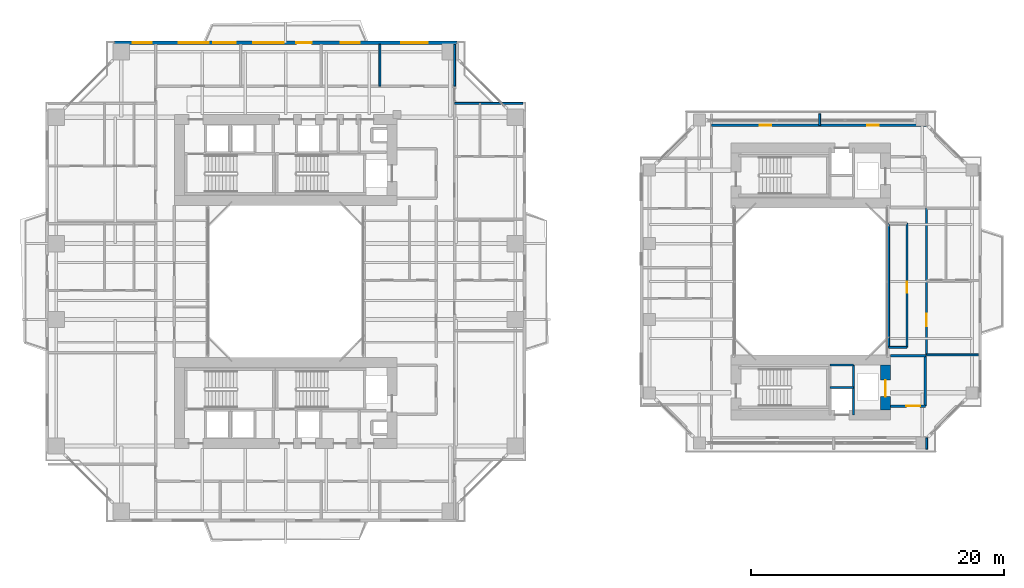
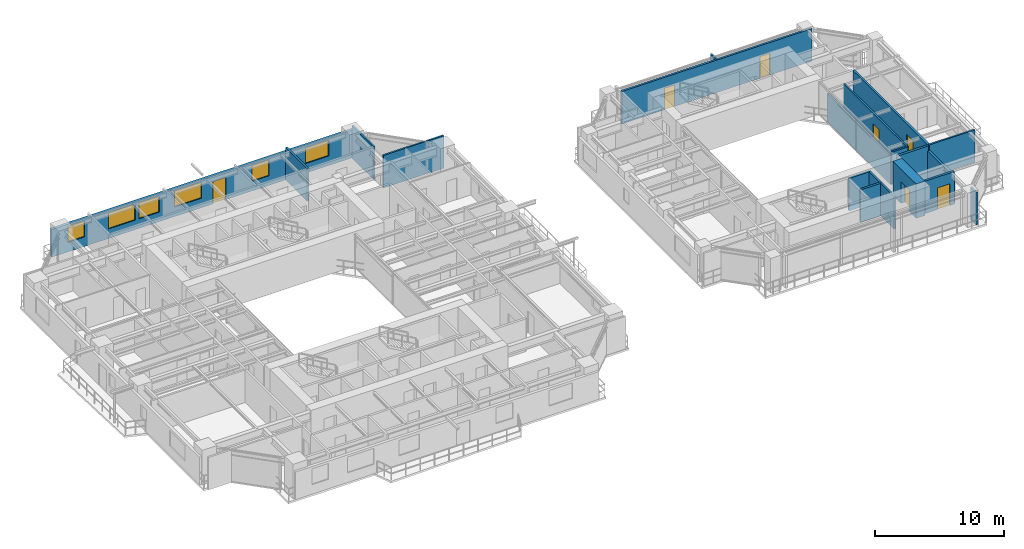
# One storey, part 17 of 23: 19 walls, 7 doors, 6 windows, 13 openings.
"""IFC4 building model written with IfcOpenShell, lengths in metres."""

from ifc_helpers import new_model, si_unit, direction, frame, frame_2d, origin, place, context, subcontext, project, spatial, rectangle, extrude, source, transform, mapped, material, layer, layer_set, type_object, element, fill, save


model = new_model("IFC4")

# Units and contexts
model_context = context("Model", 3, precision=1e-05, world=origin(), true_north=direction((0.0, 1.0)))
body_context = subcontext(model_context, "Body", "Model", "MODEL_VIEW")
ifc_project = project(units=[si_unit("LENGTHUNIT", "METRE"), si_unit("AREAUNIT", "SQUARE_METRE"), si_unit("VOLUMEUNIT", "CUBIC_METRE"), si_unit("PLANEANGLEUNIT", "RADIAN"), si_unit("MASSUNIT", "GRAM", prefix="KILO"), si_unit("THERMODYNAMICTEMPERATUREUNIT", "KELVIN"), si_unit("POWERUNIT", "WATT")], contexts=[model_context])

# Site, building, storey
site_placement = place(None, origin())
site = spatial("IfcSite", under=ifc_project, at=site_placement, CompositionType="ELEMENT")
building_placement = place(site_placement, origin())
building = spatial("IfcBuilding", under=site, at=building_placement, Name="Qiaomeng Ring Towers", CompositionType="ELEMENT")
storey_placement = place(building_placement, frame((0.0, 0.0, 39.25)))
storey = spatial("IfcBuildingStorey", under=building, at=storey_placement, Name="L10", CompositionType="ELEMENT", Elevation=39.25)

# Wall, openings, windows, door
ifc_material_1 = material(Name="Precast concrete C40", Category="concrete")
ifc_layer_1 = layer(ifc_material_1, 0.25, Name="Precast concrete C40")
ifc_layer_set_1 = layer_set([ifc_layer_1], Name="Precast concrete C40")
wall_type_1 = type_object("IfcWallType", Name="ARC-WL-EW1", PredefinedType="STANDARD", material=ifc_layer_set_1)
wall_1_placement = place(storey_placement, frame((5.449951171875, 41.875, 0.0), z_axis=(0.0, 0.0, 1.0), x_axis=(1.0, 0.0, 0.0)))
wall_1 = element("IfcWall", 1, at=wall_1_placement, inside=storey, type_object=wall_type_1, Name="L10 Tower 1 N Exterior Wall", PredefinedType="STANDARD", context=body_context, shape_type="SweptSolid", body=[
    extrude(rectangle(XDim=27.10009765625, YDim=0.25, at=frame_2d((13.550048828125, 0.0))), origin(), (0.0, 0.0, 1.0), 2.610107421875),
])
opening_1_placement = place(wall_1_placement, frame((14.39990234375, 0.0, 0.0)))
opening_1 = element("IfcOpeningElement", 2, at=opening_1_placement, cuts=wall_1, Name="Opening BD1", PredefinedType="OPENING", context=body_context, shape_type="SweptSolid", body=[
    extrude(rectangle(XDim=1.199951171875, YDim=2.10009765625, at=frame_2d((0.60009765625, 1.050048828125))), frame((0.0, 0.135009765625, 0.0), z_axis=(0.0, -1.0, 0.0), x_axis=(1.0, 0.0, 0.0)), (0.0, 0.0, 1.0), 0.27001953125),
])
opening_2_placement = place(wall_1_placement, frame((1.449951171875, 0.0, 0.89990234375)))
opening_2 = element("IfcOpeningElement", 3, at=opening_2_placement, cuts=wall_1, Name="Opening WN2", PredefinedType="OPENING", context=body_context, shape_type="SweptSolid", body=[
    extrude(rectangle(XDim=1.5, YDim=1.5, at=frame_2d((0.75, 0.75))), frame((0.0, 0.135009765625, 0.0), z_axis=(0.0, -1.0, 0.0), x_axis=(1.0, 0.0, 0.0)), (0.0, 0.0, 1.0), 0.27001953125),
])
opening_3_placement = place(wall_1_placement, frame((7.819580078125, 0.0, 0.89990234375)))
opening_3 = element("IfcOpeningElement", 4, at=opening_3_placement, cuts=wall_1, Name="Opening WN1", PredefinedType="OPENING", context=body_context, shape_type="SweptSolid", body=[
    extrude(rectangle(XDim=1.800048828125, YDim=1.5, at=frame_2d((0.89990234375, 0.75))), frame((0.0, 0.135009765625, 0.0), z_axis=(0.0, -1.0, 0.0), x_axis=(1.0, 0.0, 0.0)), (0.0, 0.0, 1.0), 0.27001953125),
])
opening_4_placement = place(wall_1_placement, frame((17.919921875, 0.0, 0.89990234375)))
opening_4 = element("IfcOpeningElement", 5, at=opening_4_placement, cuts=wall_1, Name="Opening WN2", PredefinedType="OPENING", context=body_context, shape_type="SweptSolid", body=[
    extrude(rectangle(XDim=1.5, YDim=1.5, at=frame_2d((0.75, 0.75))), frame((0.0, 0.135009765625, 0.0), z_axis=(0.0, -1.0, 0.0), x_axis=(1.0, 0.0, 0.0)), (0.0, 0.0, 1.0), 0.27001953125),
])
opening_5_placement = place(wall_1_placement, frame((22.6630859375, 0.0, 0.89990234375)))
opening_5 = element("IfcOpeningElement", 6, at=opening_5_placement, cuts=wall_1, Name="Opening WN4", PredefinedType="OPENING", context=body_context, shape_type="SweptSolid", body=[
    extrude(rectangle(XDim=2.10009765625, YDim=1.47998046875, at=frame_2d((1.050048828125, 0.739990234375))), frame((0.0, 0.135009765625, 0.0), z_axis=(0.0, -1.0, 0.0), x_axis=(1.0, 0.0, 0.0)), (0.0, 0.0, 1.0), 0.27001953125),
])
opening_6_placement = place(wall_1_placement, frame((5.083984375, 0.0, 0.89990234375)))
opening_6 = element("IfcOpeningElement", 7, at=opening_6_placement, cuts=wall_1, Name="Opening WN6", PredefinedType="OPENING", context=body_context, shape_type="SweptSolid", body=[
    extrude(rectangle(XDim=2.39990234375, YDim=1.5, at=frame_2d((1.199951171875, 0.75))), frame((0.0, 0.135009765625, 0.0), z_axis=(0.0, -1.0, 0.0), x_axis=(1.0, 0.0, 0.0)), (0.0, 0.0, 1.0), 0.27001953125),
])
opening_7_placement = place(wall_1_placement, frame((11.00244140625, 0.0, 0.89990234375)))
opening_7 = element("IfcOpeningElement", 8, at=opening_7_placement, cuts=wall_1, Name="Opening WN6", PredefinedType="OPENING", context=body_context, shape_type="SweptSolid", body=[
    extrude(rectangle(XDim=2.39990234375, YDim=1.5, at=frame_2d((1.199951171875, 0.75))), frame((0.0, 0.135009765625, 0.0), z_axis=(0.0, -1.0, 0.0), x_axis=(1.0, 0.0, 0.0)), (0.0, 0.0, 1.0), 0.27001953125),
])
ifc_material_2 = material(Name="Low-E dark-grey laminated double glazing", Category="glass")
window_type_1 = type_object("IfcWindowType", Name="ARC-WN-4", PartitioningType="TRIPLE_PANEL_VERTICAL", PredefinedType="WINDOW", material=ifc_material_2)
shared_shape_1 = source(origin(), body_context, "Body", "SweptSolid", [
    extrude(rectangle(XDim=2.10009765625, YDim=1.47998046875, at=frame_2d((1.050048828125, 0.739990234375))), frame((0.0, 0.030029296875, 0.0), z_axis=(0.0, -1.0, 0.0), x_axis=(1.0, 0.0, 0.0)), (0.0, 0.0, 1.0), 0.06005859375),
])
window_1_placement = place(opening_5_placement, origin())
window_1 = element("IfcWindow", 9, at=window_1_placement, inside=storey, type_object=window_type_1, Name="L10 Exterior Window WN4", OverallHeight=1.47998046875, OverallWidth=2.10009765625, PartitioningType="TRIPLE_PANEL_VERTICAL", PredefinedType="WINDOW", context=body_context, shape_type="MappedRepresentation", body=[
    mapped(shared_shape_1, transform((0.0, 0.0, 0.0), x_axis=(1.0, 0.0, 0.0), y_axis=(0.0, 1.0, 0.0), z_axis=(0.0, 0.0, 1.0), scale=1.0)),
])
fill(opening_5, window_1)
door_type_1 = type_object("IfcDoorType", Name="ARC-DR-BD1", OperationType="NOTDEFINED", PredefinedType="DOOR", material=ifc_material_2)
shared_shape_2 = source(origin(), body_context, "Body", "SweptSolid", [
    extrude(rectangle(XDim=1.199951171875, YDim=2.10009765625, at=frame_2d((0.60009765625, 1.050048828125))), frame((0.0, 0.02490234375, 0.0), z_axis=(0.0, -1.0, 0.0), x_axis=(1.0, 0.0, 0.0)), (0.0, 0.0, 1.0), 0.050048828125),
])
door_1_placement = place(opening_1_placement, origin())
door_1 = element("IfcDoor", 10, at=door_1_placement, inside=storey, type_object=door_type_1, Name="L10 N Balcony Glazed Door", OperationType="SINGLE_SWING_LEFT", OverallHeight=2.10009765625, OverallWidth=1.199951171875, PredefinedType="DOOR", context=body_context, shape_type="MappedRepresentation", body=[
    mapped(shared_shape_2, transform((0.0, 0.0, 0.0), x_axis=(1.0, 0.0, 0.0), y_axis=(0.0, 1.0, 0.0), z_axis=(0.0, 0.0, 1.0), scale=1.0)),
])
fill(opening_1, door_1)
window_type_2 = type_object("IfcWindowType", Name="ARC-WN-2", PartitioningType="DOUBLE_PANEL_VERTICAL", PredefinedType="WINDOW", material=ifc_material_2)
shared_shape_3 = source(origin(), body_context, "Body", "SweptSolid", [
    extrude(rectangle(XDim=1.5, YDim=1.5, at=frame_2d((0.75, 0.75))), frame((0.0, 0.030029296875, 0.0), z_axis=(0.0, -1.0, 0.0), x_axis=(1.0, 0.0, 0.0)), (0.0, 0.0, 1.0), 0.06005859375),
])
window_2_placement = place(opening_2_placement, origin())
window_2 = element("IfcWindow", 11, at=window_2_placement, inside=storey, type_object=window_type_2, Name="L10 Exterior Window WN6", OverallHeight=1.5, OverallWidth=1.5, PartitioningType="TRIPLE_PANEL_VERTICAL", PredefinedType="WINDOW", context=body_context, shape_type="MappedRepresentation", body=[
    mapped(shared_shape_3, transform((0.0, 0.0, 0.0), x_axis=(1.0, 0.0, 0.0), y_axis=(0.0, 1.0, 0.0), z_axis=(0.0, 0.0, 1.0), scale=1.0)),
])
fill(opening_2, window_2)
window_3_placement = place(opening_4_placement, origin())
window_3 = element("IfcWindow", 12, at=window_3_placement, inside=storey, type_object=window_type_2, Name="L10 Exterior Window WN2", OverallHeight=1.5, OverallWidth=1.5, PartitioningType="DOUBLE_PANEL_VERTICAL", PredefinedType="WINDOW", context=body_context, shape_type="MappedRepresentation", body=[
    mapped(shared_shape_3, transform((0.0, 0.0, 0.0), x_axis=(1.0, 0.0, 0.0), y_axis=(0.0, 1.0, 0.0), z_axis=(0.0, 0.0, 1.0), scale=1.0)),
])
fill(opening_4, window_3)
window_type_3 = type_object("IfcWindowType", Name="ARC-WN-6", PartitioningType="TRIPLE_PANEL_VERTICAL", PredefinedType="WINDOW", material=ifc_material_2)
shared_shape_4 = source(origin(), body_context, "Body", "SweptSolid", [
    extrude(rectangle(XDim=2.39990234375, YDim=1.5, at=frame_2d((1.199951171875, 0.75))), frame((0.0, 0.030029296875, 0.0), z_axis=(0.0, -1.0, 0.0), x_axis=(1.0, 0.0, 0.0)), (0.0, 0.0, 1.0), 0.06005859375),
])
window_4_placement = place(opening_6_placement, origin())
window_4 = element("IfcWindow", 13, at=window_4_placement, inside=storey, type_object=window_type_3, Name="L10 Exterior Window WN6", OverallHeight=1.5, OverallWidth=2.39990234375, PartitioningType="TRIPLE_PANEL_VERTICAL", PredefinedType="WINDOW", context=body_context, shape_type="MappedRepresentation", body=[
    mapped(shared_shape_4, transform((0.0, 0.0, 0.0), x_axis=(1.0, 0.0, 0.0), y_axis=(0.0, 1.0, 0.0), z_axis=(0.0, 0.0, 1.0), scale=1.0)),
])
fill(opening_6, window_4)
window_5_placement = place(opening_7_placement, origin())
window_5 = element("IfcWindow", 14, at=window_5_placement, inside=storey, type_object=window_type_3, Name="L10 Exterior Window WN6", OverallHeight=1.5, OverallWidth=2.39990234375, PartitioningType="TRIPLE_PANEL_VERTICAL", PredefinedType="WINDOW", context=body_context, shape_type="MappedRepresentation", body=[
    mapped(shared_shape_4, transform((0.0, 0.0, 0.0), x_axis=(1.0, 0.0, 0.0), y_axis=(0.0, 1.0, 0.0), z_axis=(0.0, 0.0, 1.0), scale=1.0)),
])
fill(opening_7, window_5)
window_type_4 = type_object("IfcWindowType", Name="ARC-WN-1", PartitioningType="DOUBLE_PANEL_VERTICAL", PredefinedType="WINDOW", material=ifc_material_2)
shared_shape_5 = source(origin(), body_context, "Body", "SweptSolid", [
    extrude(rectangle(XDim=1.800048828125, YDim=1.5, at=frame_2d((0.89990234375, 0.75))), frame((0.0, 0.030029296875, 0.0), z_axis=(0.0, -1.0, 0.0), x_axis=(1.0, 0.0, 0.0)), (0.0, 0.0, 1.0), 0.06005859375),
])
window_6_placement = place(opening_3_placement, origin())
window_6 = element("IfcWindow", 15, at=window_6_placement, inside=storey, type_object=window_type_4, Name="L10 Exterior Window WN1", OverallHeight=1.5, OverallWidth=1.800048828125, PartitioningType="DOUBLE_PANEL_VERTICAL", PredefinedType="WINDOW", context=body_context, shape_type="MappedRepresentation", body=[
    mapped(shared_shape_5, transform((0.0, 0.0, 0.0), x_axis=(1.0, 0.0, 0.0), y_axis=(0.0, 1.0, 0.0), z_axis=(0.0, 0.0, 1.0), scale=1.0)),
])
fill(opening_3, window_6)

# Walls
ifc_material_3 = material(Name="Autoclaved aerated concrete block", Category="concrete")
ifc_layer_2 = layer(ifc_material_3, 0.199951171875, Name="Autoclaved aerated concrete block")
ifc_layer_set_2 = layer_set([ifc_layer_2], Name="Autoclaved aerated concrete block")
wall_type_2 = type_object("IfcWallType", Name="ARC-WL-PW1", PredefinedType="PARTITIONING", material=ifc_layer_set_2)
wall_2_placement = place(storey_placement, frame((66.800048828125, 17.14990234375, 0.0), z_axis=(0.0, 0.0, 1.0), x_axis=(1.0, 0.0, 0.0)))
element("IfcWall", 16, at=wall_2_placement, inside=storey, type_object=wall_type_2, Name="L10 Interior Wall PW1", PredefinedType="PARTITIONING", context=body_context, shape_type="SweptSolid", body=[
    extrude(rectangle(XDim=2.75, YDim=0.199951171875, at=frame_2d((1.375, 0.0))), origin(), (0.0, 0.0, 1.0), 3.070068359375),
])
wall_3_placement = place(storey_placement, frame((69.550048828125, 13.14990234375, 0.0), z_axis=(0.0, 0.0, 1.0), x_axis=(0.0, 1.0, 0.0)))
element("IfcWall", 17, at=wall_3_placement, inside=storey, type_object=wall_type_2, Name="L10 Interior Wall PW1", PredefinedType="PARTITIONING", context=body_context, shape_type="SweptSolid", body=[
    extrude(rectangle(XDim=4.0, YDim=0.199951171875, at=frame_2d((2.0, 0.0))), origin(), (0.0, 0.0, 1.0), 2.614990234375),
])

# Wall, opening, door
wall_4_placement = place(storey_placement, frame((66.800048828125, 13.14990234375, 0.0), z_axis=(0.0, 0.0, 1.0), x_axis=(1.0, 0.0, 0.0)))
wall_4 = element("IfcWall", 18, at=wall_4_placement, inside=storey, type_object=wall_type_2, Name="L10 Interior Wall PW1", PredefinedType="PARTITIONING", context=body_context, shape_type="SweptSolid", body=[
    extrude(rectangle(XDim=2.75, YDim=0.199951171875, at=frame_2d((1.375, 0.0))), origin(), (0.0, 0.0, 1.0), 3.070068359375),
])
opening_8_placement = place(wall_4_placement, frame((1.25, 0.0, 0.0)))
opening_8 = element("IfcOpeningElement", 19, at=opening_8_placement, cuts=wall_4, Name="Opening FD3", PredefinedType="OPENING", context=body_context, shape_type="SweptSolid", body=[
    extrude(rectangle(XDim=1.10009765625, YDim=2.050048828125, at=frame_2d((0.550048828125, 1.02490234375))), frame((0.0, 0.10986328125, 0.0), z_axis=(0.0, -1.0, 0.0), x_axis=(1.0, 0.0, 0.0)), (0.0, 0.0, 1.0), 0.219970703125),
])
ifc_material_4 = material(Name="Galvanised steel", Category="steel")
door_type_2 = type_object("IfcDoorType", Name="ARC-DR-FD3", OperationType="NOTDEFINED", PredefinedType="DOOR", material=ifc_material_4)
shared_shape_6 = source(origin(), body_context, "Body", "SweptSolid", [
    extrude(rectangle(XDim=1.10009765625, YDim=2.050048828125, at=frame_2d((0.550048828125, 1.02490234375))), frame((0.0, 0.02490234375, 0.0), z_axis=(0.0, -1.0, 0.0), x_axis=(1.0, 0.0, 0.0)), (0.0, 0.0, 1.0), 0.050048828125),
])
door_2_placement = place(opening_8_placement, origin())
door_2 = element("IfcDoor", 20, at=door_2_placement, inside=storey, type_object=door_type_2, Name="L10 Door FD3", OperationType="SINGLE_SWING_LEFT", OverallHeight=2.050048828125, OverallWidth=1.10009765625, PredefinedType="DOOR", context=body_context, shape_type="MappedRepresentation", body=[
    mapped(shared_shape_6, transform((0.0, 0.0, 0.0), x_axis=(1.0, 0.0, 0.0), y_axis=(0.0, 1.0, 0.0), z_axis=(0.0, 0.0, 1.0), scale=1.0)),
])
fill(opening_8, door_2)

ifc_layer_3 = layer(ifc_material_3, 0.179931640625, Name="Autoclaved aerated concrete block")
ifc_layer_set_3 = layer_set([ifc_layer_3], Name="Autoclaved aerated concrete block")
wall_type_3 = type_object("IfcWallType", Name="ARC-WL-PW2", PredefinedType="PARTITIONING", material=ifc_layer_set_3)
wall_5_placement = place(storey_placement, frame((69.64990234375, 17.199951171875, 0.0), z_axis=(0.0, 0.0, 1.0), x_axis=(0.0, 1.0, 0.0)))
wall_5 = element("IfcWall", 21, at=wall_5_placement, inside=storey, type_object=wall_type_3, Name="L10 Interior Wall PW2", PredefinedType="PARTITIONING", context=body_context, shape_type="SweptSolid", body=[
    extrude(rectangle(XDim=11.60009765625, YDim=0.179931640625, at=frame_2d((5.800048828125, 0.0))), origin(), (0.0, 0.0, 1.0), 3.070068359375),
])
opening_9_placement = place(wall_5_placement, frame((2.260009765625, 0.0, 0.0)))
opening_9 = element("IfcOpeningElement", 22, at=opening_9_placement, cuts=wall_5, Name="Opening FD4", PredefinedType="OPENING", context=body_context, shape_type="SweptSolid", body=[
    extrude(rectangle(XDim=1.0, YDim=2.050048828125, at=frame_2d((0.5, 1.02490234375))), frame((0.0, 0.099853515625, 0.0), z_axis=(0.0, -1.0, 0.0), x_axis=(1.0, 0.0, 0.0)), (0.0, 0.0, 1.0), 0.199951171875),
])
ifc_material_5 = material(Name="Engineered fire-rated oak timber", Category="wood")
door_type_3 = type_object("IfcDoorType", Name="ARC-DR-FD4", OperationType="NOTDEFINED", PredefinedType="DOOR", material=ifc_material_5)
shared_shape_7 = source(origin(), body_context, "Body", "SweptSolid", [
    extrude(rectangle(XDim=1.0, YDim=2.050048828125, at=frame_2d((0.5, 1.02490234375))), frame((0.0, 0.02490234375, 0.0), z_axis=(0.0, -1.0, 0.0), x_axis=(1.0, 0.0, 0.0)), (0.0, 0.0, 1.0), 0.050048828125),
])
door_3_placement = place(opening_9_placement, origin())
door_3 = element("IfcDoor", 23, at=door_3_placement, inside=storey, type_object=door_type_3, Name="L10 Door FD4", OperationType="SINGLE_SWING_LEFT", OverallHeight=2.050048828125, OverallWidth=1.0, PredefinedType="DOOR", context=body_context, shape_type="MappedRepresentation", body=[
    mapped(shared_shape_7, transform((0.0, 0.0, 0.0), x_axis=(1.0, 0.0, 0.0), y_axis=(0.0, 1.0, 0.0), z_axis=(0.0, 0.0, 1.0), scale=1.0)),
])
fill(opening_9, door_3)

# Wall, openings, doors
wall_6_placement = place(storey_placement, frame((52.64990234375, 35.35009765625, 0.0), z_axis=(0.0, 0.0, 1.0), x_axis=(1.0, 0.0, 0.0)))
wall_6 = element("IfcWall", 24, at=wall_6_placement, inside=storey, type_object=wall_type_3, Name="L10 Interior Wall PW2", PredefinedType="PARTITIONING", context=body_context, shape_type="SweptSolid", body=[
    extrude(rectangle(XDim=17.0, YDim=0.179931640625, at=frame_2d((8.5, 0.0))), origin(), (0.0, 0.0, 1.0), 3.070068359375),
])
opening_10_placement = place(wall_6_placement, frame((3.824951171875, 0.0, 0.0)))
opening_10 = element("IfcOpeningElement", 25, at=opening_10_placement, cuts=wall_6, Name="Opening ID1", PredefinedType="OPENING", context=body_context, shape_type="SweptSolid", body=[
    extrude(rectangle(XDim=0.89990234375, YDim=2.050048828125, at=frame_2d((0.449951171875, 1.02490234375))), frame((0.0, 0.099853515625, 0.0), z_axis=(0.0, -1.0, 0.0), x_axis=(1.0, 0.0, 0.0)), (0.0, 0.0, 1.0), 0.199951171875),
])
opening_11_placement = place(wall_6_placement, frame((12.324951171875, 0.0, 0.0)))
opening_11 = element("IfcOpeningElement", 26, at=opening_11_placement, cuts=wall_6, Name="Opening ID1", PredefinedType="OPENING", context=body_context, shape_type="SweptSolid", body=[
    extrude(rectangle(XDim=0.89990234375, YDim=2.050048828125, at=frame_2d((0.449951171875, 1.02490234375))), frame((0.0, 0.099853515625, 0.0), z_axis=(0.0, -1.0, 0.0), x_axis=(1.0, 0.0, 0.0)), (0.0, 0.0, 1.0), 0.199951171875),
])
ifc_material_6 = material(Name="Engineered oak timber", Category="wood")
door_type_4 = type_object("IfcDoorType", Name="ARC-DR-ID1", OperationType="NOTDEFINED", PredefinedType="DOOR", material=ifc_material_6)
shared_shape_8 = source(origin(), body_context, "Body", "SweptSolid", [
    extrude(rectangle(XDim=0.89990234375, YDim=2.050048828125, at=frame_2d((0.449951171875, 1.02490234375))), frame((0.0, 0.02490234375, 0.0), z_axis=(0.0, -1.0, 0.0), x_axis=(1.0, 0.0, 0.0)), (0.0, 0.0, 1.0), 0.050048828125),
])
door_4_placement = place(opening_10_placement, origin())
door_4 = element("IfcDoor", 27, at=door_4_placement, inside=storey, type_object=door_type_4, Name="L10 Door ID1", OperationType="SINGLE_SWING_LEFT", OverallHeight=2.050048828125, OverallWidth=0.89990234375, PredefinedType="DOOR", context=body_context, shape_type="MappedRepresentation", body=[
    mapped(shared_shape_8, transform((0.0, 0.0, 0.0), x_axis=(1.0, 0.0, 0.0), y_axis=(0.0, 1.0, 0.0), z_axis=(0.0, 0.0, 1.0), scale=1.0)),
])
fill(opening_10, door_4)
door_5_placement = place(opening_11_placement, origin())
door_5 = element("IfcDoor", 28, at=door_5_placement, inside=storey, type_object=door_type_4, Name="L10 Door ID1", OperationType="SINGLE_SWING_RIGHT", OverallHeight=2.050048828125, OverallWidth=0.89990234375, PredefinedType="DOOR", context=body_context, shape_type="MappedRepresentation", body=[
    mapped(shared_shape_8, transform((0.0, 0.0, 0.0), x_axis=(1.0, 0.0, 0.0), y_axis=(0.0, 1.0, 0.0), z_axis=(0.0, 0.0, 1.0), scale=1.0)),
])
fill(opening_11, door_5)

# Walls
ifc_material_7 = material(Name="Gypsum fireboard steel-stud partition", Category="steel")
ifc_layer_4 = layer(ifc_material_7, 0.14990234375, Name="Gypsum fireboard steel-stud partition")
ifc_layer_set_4 = layer_set([ifc_layer_4], Name="Gypsum fireboard steel-stud partition")
wall_type_4 = type_object("IfcWallType", Name="ARC-WL-PW3", PredefinedType="PARTITIONING", material=ifc_layer_set_4)
for number, where, z_axis, x_axis, name in (
    (29, (26.43994140625, 38.43994140625, 0.0), (0.0, 0.0, 1.0), (0.0, 1.0, 0.0), "L10 Interior Wall PW3"),
    (30, (32.35009765625, 38.43994140625, 0.0), (0.0, 0.0, 1.0), (0.0, 1.0, 0.0), "L10 Interior Wall PW3"),
):
    element("IfcWall", number, at=place(storey_placement, frame(where, z_axis=z_axis, x_axis=x_axis)), inside=storey, type_object=wall_type_4, Name=name, PredefinedType="PARTITIONING", context=body_context, shape_type="SweptSolid", body=[
        extrude(rectangle(XDim=3.31005859375, YDim=0.14990234375, at=frame_2d((1.655029296875, 0.0))), origin(), (0.0, 0.0, 1.0), 3.070068359375),
    ])
wall_7_placement = place(storey_placement, frame((32.35009765625, 37.080078125, 0.0), z_axis=(0.0, 0.0, 1.0), x_axis=(1.0, 0.0, 0.0)))
element("IfcWall", 31, at=wall_7_placement, inside=storey, type_object=wall_type_4, Name="L10 Interior Wall PW3", PredefinedType="PARTITIONING", context=body_context, shape_type="SweptSolid", body=[
    extrude(rectangle(XDim=5.39990234375, YDim=0.14990234375, at=frame_2d((2.699951171875, 0.0))), origin(), (0.0, 0.0, 1.0), 3.070068359375),
])
wall_8_placement = place(storey_placement, frame((69.64990234375, 17.199951171875, 0.0), z_axis=(0.0, 0.0, 1.0), x_axis=(1.0, 0.0, 0.0)))
element("IfcWall", 32, at=wall_8_placement, inside=storey, type_object=wall_type_4, Name="L10 Interior Wall PW3", PredefinedType="PARTITIONING", context=body_context, shape_type="SweptSolid", body=[
    extrude(rectangle(XDim=4.10009765625, YDim=0.14990234375, at=frame_2d((2.050048828125, 0.0))), origin(), (0.0, 0.0, 1.0), 3.070068359375),
])

# Wall, opening, door
wall_9_placement = place(storey_placement, frame((68.10009765625, 17.800048828125, 0.0), z_axis=(0.0, 0.0, 1.0), x_axis=(0.0, 1.0, 0.0)))
wall_9 = element("IfcWall", 33, at=wall_9_placement, inside=storey, type_object=wall_type_4, Name="L10 Interior Wall PW3", PredefinedType="PARTITIONING", context=body_context, shape_type="SweptSolid", body=[
    extrude(rectangle(XDim=9.800048828125, YDim=0.14990234375, at=frame_2d((4.89990234375, 0.0))), origin(), (0.0, 0.0, 1.0), 3.070068359375),
])
opening_12_placement = place(wall_9_placement, frame((4.300048828125, 0.0, 0.0)))
opening_12 = element("IfcOpeningElement", 34, at=opening_12_placement, cuts=wall_9, Name="Opening ID1", PredefinedType="OPENING", context=body_context, shape_type="SweptSolid", body=[
    extrude(rectangle(XDim=0.89990234375, YDim=2.050048828125, at=frame_2d((0.449951171875, 1.02490234375))), frame((0.0, 0.0849609375, 0.0), z_axis=(0.0, -1.0, 0.0), x_axis=(1.0, 0.0, 0.0)), (0.0, 0.0, 1.0), 0.169921875),
])
door_6_placement = place(opening_12_placement, origin())
door_6 = element("IfcDoor", 35, at=door_6_placement, inside=storey, type_object=door_type_4, Name="L10 Door ID1", OperationType="SINGLE_SWING_RIGHT", OverallHeight=2.050048828125, OverallWidth=0.89990234375, PredefinedType="DOOR", context=body_context, shape_type="MappedRepresentation", body=[
    mapped(shared_shape_8, transform((0.0, 0.0, 0.0), x_axis=(1.0, 0.0, 0.0), y_axis=(0.0, 1.0, 0.0), z_axis=(0.0, 0.0, 1.0), scale=1.0)),
])
fill(opening_12, door_6)

# Walls
wall_10_placement = place(storey_placement, frame((66.64990234375, 17.800048828125, 0.0), z_axis=(0.0, 0.0, 1.0), x_axis=(1.0, 0.0, 0.0)))
element("IfcWall", 36, at=wall_10_placement, inside=storey, type_object=wall_type_4, Name="L10 Interior Wall PW3", PredefinedType="PARTITIONING", context=body_context, shape_type="SweptSolid", body=[
    extrude(rectangle(XDim=1.4501953125, YDim=0.14990234375, at=frame_2d((0.72509765625, 0.0))), origin(), (0.0, 0.0, 1.0), 3.070068359375),
])
wall_11_placement = place(storey_placement, frame((66.64990234375, 17.800048828125, 0.0), z_axis=(0.0, 0.0, 1.0), x_axis=(0.0, 1.0, 0.0)))
element("IfcWall", 37, at=wall_11_placement, inside=storey, type_object=wall_type_4, Name="L10 Interior Wall PW3", PredefinedType="PARTITIONING", context=body_context, shape_type="SweptSolid", body=[
    extrude(rectangle(XDim=9.800048828125, YDim=0.14990234375, at=frame_2d((4.89990234375, 0.0))), origin(), (0.0, 0.0, 1.0), 2.6650390625),
])
for number, where, z_axis, x_axis, name in (
    (38, (61.199951171875, 35.35009765625, 0.0), (0.0, 0.0, 1.0), (0.0, 1.0, 0.0), "L10 Interior Wall PW3"),
    (39, (69.64990234375, 9.75, 0.0), (0.0, 0.0, 1.0), (0.0, 1.0, 0.0), "L10 Interior Wall PW3"),
):
    element("IfcWall", number, at=place(storey_placement, frame(where, z_axis=z_axis, x_axis=x_axis)), inside=storey, type_object=wall_type_4, Name=name, PredefinedType="PARTITIONING", context=body_context, shape_type="SweptSolid", body=[
        extrude(rectangle(XDim=0.89990234375, YDim=0.14990234375, at=frame_2d((0.449951171875, 0.0))), origin(), (0.0, 0.0, 1.0), 3.070068359375),
    ])
ifc_material_8 = material(Name="Concrete C40", Category="concrete")
ifc_layer_5 = layer(ifc_material_8, 0.199951171875, Name="Concrete C40")
ifc_layer_set_5 = layer_set([ifc_layer_5], Name="Concrete C40")
wall_type_5 = type_object("IfcWallType", Name="STR-WL-STSHAFT", PredefinedType="SHEAR", material=ifc_layer_set_5)
wall_12_placement = place(storey_placement, frame((63.8798828125, 12.449951171875, 0.0), z_axis=(0.0, 0.0, 1.0), x_axis=(0.0, 1.0, 0.0)))
element("IfcWall", 40, at=wall_12_placement, inside=storey, type_object=wall_type_5, Name="L10 Companion Lift Shaft East Wall S", PredefinedType="SHEAR", context=body_context, shape_type="SweptSolid", body=[
    extrude(rectangle(XDim=3.949951171875, YDim=0.179931640625, at=frame_2d((1.97509765625, 0.0))), origin(), (0.0, 0.0, 1.0), 3.070068359375),
])
for number, where, z_axis, x_axis, name in (
    (41, (62.02001953125, 14.6201171875, 0.0), (0.0, 0.0, 1.0), (1.0, 0.0, 0.0), "L10 Companion Lift Shaft Divider Wall S"),
    (42, (62.02001953125, 16.39990234375, 0.0), (0.0, 0.0, 1.0), (1.0, 0.0, 0.0), "L10 Companion Riser Shaft Back Wall S"),
):
    element("IfcWall", number, at=place(storey_placement, frame(where, z_axis=z_axis, x_axis=x_axis)), inside=storey, type_object=wall_type_5, Name=name, PredefinedType="SHEAR", context=body_context, shape_type="SweptSolid", body=[
        extrude(rectangle(XDim=1.85986328125, YDim=0.179931640625, at=frame_2d((0.929931640625, 0.0))), origin(), (0.0, 0.0, 1.0), 3.070068359375),
    ])

# Wall, opening, door
ifc_material_9 = material(Name="Concrete C60", Category="concrete")
ifc_layer_6 = layer(ifc_material_9, 0.800048828125, Name="Concrete C60")
ifc_layer_set_6 = layer_set([ifc_layer_6], Name="Concrete C60")
wall_type_6 = type_object("IfcWallType", Name="STR-WL-SW1", PredefinedType="SHEAR", material=ifc_layer_set_6)
wall_13_placement = place(storey_placement, frame((66.39990234375, 12.85009765625, 0.0), z_axis=(0.0, 0.0, 1.0), x_axis=(0.0, 1.0, 0.0)))
wall_13 = element("IfcWall", 43, at=wall_13_placement, inside=storey, type_object=wall_type_6, Name="L10 T2SC east core shear wall", PredefinedType="SHEAR", context=body_context, shape_type="SweptSolid", body=[
    extrude(rectangle(XDim=3.5498046875, YDim=0.800048828125, at=frame_2d((1.77490234375, 0.0))), origin(), (0.0, 0.0, 1.0), 3.25),
])
opening_13_placement = place(wall_13_placement, frame((1.050048828125, 0.0, 0.0)))
opening_13 = element("IfcOpeningElement", 44, at=opening_13_placement, cuts=wall_13, Name="Opening LD2", PredefinedType="OPENING", context=body_context, shape_type="SweptSolid", body=[
    extrude(rectangle(XDim=1.300048828125, YDim=2.050048828125, at=frame_2d((0.64990234375, 1.02490234375))), frame((0.0, 0.409912109375, 0.0), z_axis=(0.0, -1.0, 0.0), x_axis=(1.0, 0.0, 0.0)), (0.0, 0.0, 1.0), 0.820068359375),
])
ifc_material_10 = material(Name="Stainless steel 316", Category="steel")
door_type_5 = type_object("IfcDoorType", Name="ARC-DR-LD2", OperationType="NOTDEFINED", PredefinedType="DOOR", material=ifc_material_10)
shared_shape_9 = source(origin(), body_context, "Body", "SweptSolid", [
    extrude(rectangle(XDim=1.300048828125, YDim=2.050048828125, at=frame_2d((0.64990234375, 1.02490234375))), frame((0.0, 0.02490234375, 0.0), z_axis=(0.0, -1.0, 0.0), x_axis=(1.0, 0.0, 0.0)), (0.0, 0.0, 1.0), 0.050048828125),
])
door_7_placement = place(opening_13_placement, origin())
door_7 = element("IfcDoor", 45, at=door_7_placement, inside=storey, type_object=door_type_5, Name="L10 Firefighting Lift FL4 Landing Door", OperationType="SLIDING_TO_RIGHT", OverallHeight=2.050048828125, OverallWidth=1.300048828125, PredefinedType="DOOR", context=body_context, shape_type="MappedRepresentation", body=[
    mapped(shared_shape_9, transform((0.0, 0.0, 0.0), x_axis=(1.0, 0.0, 0.0), y_axis=(0.0, 1.0, 0.0), z_axis=(0.0, 0.0, 1.0), scale=1.0)),
])
fill(opening_13, door_7)

save(model, "model.ifc")
